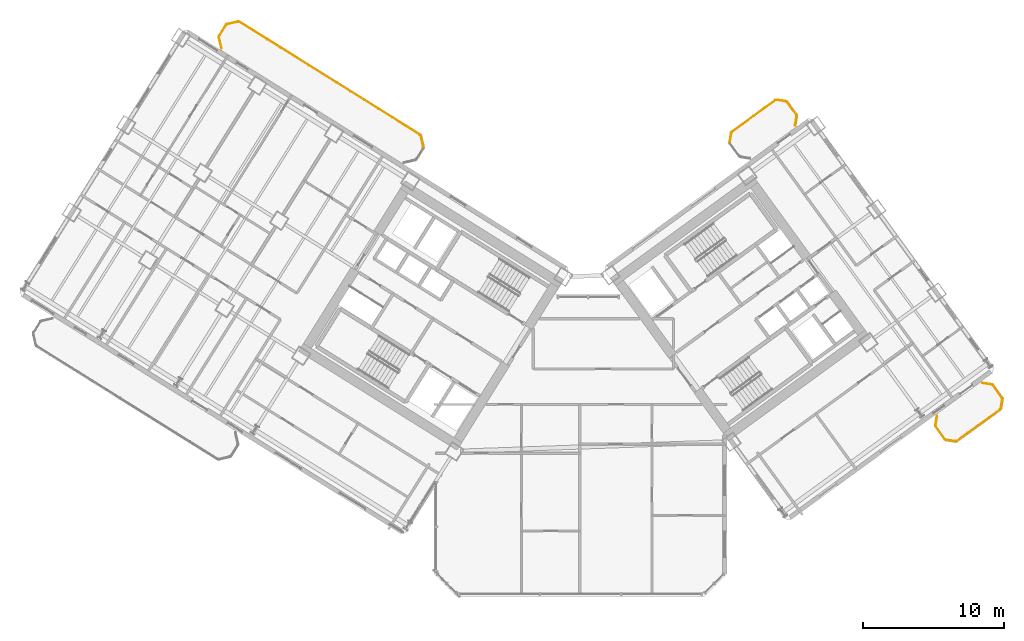
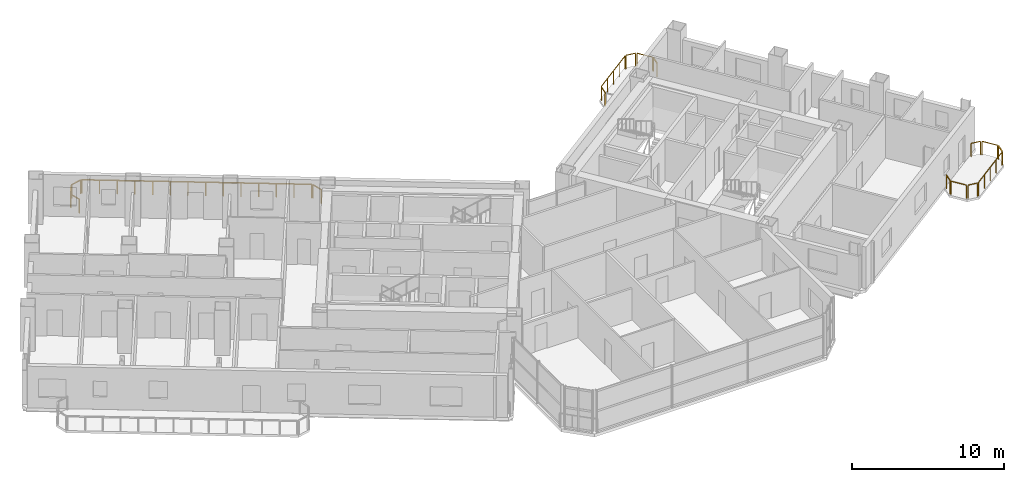
# One storey, part 24 of 24: 17 railings.
"""IFC4 building model written with IfcOpenShell, lengths in metres."""

from ifc_helpers import new_model, si_unit, direction, frame, origin, origin_2d, place, context, subcontext, project, spatial, rectangle, extrude, source, transform, mapped, material, type_object, element, save


model = new_model("IFC4")

# Units and contexts
model_context = context("Model", 3, precision=1e-05, world=origin(), true_north=direction((0.0, 1.0)))
body_context = subcontext(model_context, "Body", "Model", "MODEL_VIEW")
ifc_project = project(units=[si_unit("LENGTHUNIT", "METRE"), si_unit("AREAUNIT", "SQUARE_METRE"), si_unit("VOLUMEUNIT", "CUBIC_METRE"), si_unit("PLANEANGLEUNIT", "RADIAN"), si_unit("MASSUNIT", "GRAM", prefix="KILO")], contexts=[model_context])

# Site, building, storey
site_placement = place(None, origin())
site = spatial("IfcSite", under=ifc_project, at=site_placement, CompositionType="ELEMENT")
building_placement = place(site_placement, origin())
building = spatial("IfcBuilding", under=site, at=building_placement, Name="Tlacorven Tower", CompositionType="ELEMENT")
storey_placement = place(building_placement, frame((0.0, 0.0, 60.0)))
storey = spatial("IfcBuildingStorey", under=building, at=storey_placement, Name="L15", CompositionType="ELEMENT", Elevation=60.0)

# Railings
ifc_material = material(Name="Aluminium and painted steel balustrade", Category="steel")
railing_type = type_object("IfcRailingType", Name="RL-BAL-1100", PredefinedType="BALUSTRADE", material=ifc_material)
shared_shape_1 = source(origin(), body_context, "Body", "SweptSolid", [
    extrude(rectangle(XDim=0.048095703125, YDim=0.048095703125, at=origin_2d()), frame((0.0, 0.0, 1.076171875), z_axis=(0.225058334816, -0.974345290916, 0.0), x_axis=(0.974345290916, 0.225058334816, 0.0)), (0.0, 0.0, 1.0), 0.80712890625),
    extrude(rectangle(XDim=0.0419921875, YDim=0.0419921875, at=origin_2d()), origin(), (0.0, 0.0, 1.0), 1.052001953125),
    extrude(rectangle(XDim=0.0419921875, YDim=0.0419921875, at=origin_2d()), frame((0.181640625, -0.786376953125, 0.0)), (0.0, 0.0, 1.0), 1.052001953125),
])
railing_1_placement = place(storey_placement, frame((30.6796875, 34.466064453125, 0.0)))
element("IfcRailing", 1, at=railing_1_placement, inside=storey, type_object=railing_type, Name="BAL-L15-W-IN Guard Railing 1", PredefinedType="BALUSTRADE", context=body_context, shape_type="MappedRepresentation", body=[
    mapped(shared_shape_1, transform((0.0, 0.0, 0.0), scale=1.0)),
])
shared_shape_2 = source(origin(), body_context, "Body", "SweptSolid", [
    extrude(rectangle(XDim=0.048095703125, YDim=0.048095703125, at=origin_2d()), frame((0.0, 0.0, 1.076171875), z_axis=(-0.225058334816, 0.974345290916, 0.0), x_axis=(-0.974345290916, -0.225058334816, 0.0)), (0.0, 0.0, 1.0), 0.80712890625),
    extrude(rectangle(XDim=0.0419921875, YDim=0.0419921875, at=origin_2d()), origin(), (0.0, 0.0, 1.0), 1.052001953125),
    extrude(rectangle(XDim=0.0419921875, YDim=0.0419921875, at=origin_2d()), frame((-0.181640625, 0.786376953125, 0.0)), (0.0, 0.0, 1.0), 1.052001953125),
])
railing_2_placement = place(storey_placement, frame((16.5361328125, 40.68115234375, 0.0)))
element("IfcRailing", 2, at=railing_2_placement, inside=storey, type_object=railing_type, Name="BAL-L15-W-IN Guard Railing 4", PredefinedType="BALUSTRADE", context=body_context, shape_type="MappedRepresentation", body=[
    mapped(shared_shape_2, transform((0.0, 0.0, 0.0), scale=1.0)),
])
shared_shape_3 = source(origin(), body_context, "Body", "SweptSolid", [
    extrude(rectangle(XDim=0.048095703125, YDim=0.048095703125, at=origin_2d()), frame((0.0, 0.0, 1.076171875), z_axis=(0.52987865805, 0.848073468364, 0.0), x_axis=(-0.848073468364, 0.52987865805, 0.0)), (0.0, 0.0, 1.0), 0.912353515625),
    extrude(rectangle(XDim=0.0419921875, YDim=0.0419921875, at=origin_2d()), origin(), (0.0, 0.0, 1.0), 1.052001953125),
    extrude(rectangle(XDim=0.0419921875, YDim=0.0419921875, at=origin_2d()), frame((0.4833984375, 0.773681640625, 0.0)), (0.0, 0.0, 1.0), 1.052001953125),
])
railing_3_placement = place(storey_placement, frame((16.369873046875, 41.55859375, 0.0)))
element("IfcRailing", 3, at=railing_3_placement, inside=storey, type_object=railing_type, Name="BAL-L15-W-IN Guard Railing 5", PredefinedType="BALUSTRADE", context=body_context, shape_type="MappedRepresentation", body=[
    mapped(shared_shape_3, transform((0.0, 0.0, 0.0), scale=1.0)),
])
shared_shape_4 = source(origin(), body_context, "Body", "SweptSolid", [
    extrude(rectangle(XDim=0.048095703125, YDim=0.048095703125, at=origin_2d()), frame((0.0, 0.0, 1.076171875), z_axis=(0.974411586182, 0.224771129628, 0.0), x_axis=(-0.224771129628, 0.974411586182, 0.0)), (0.0, 0.0, 1.0), 0.80712890625),
    extrude(rectangle(XDim=0.0419921875, YDim=0.0419921875, at=origin_2d()), origin(), (0.0, 0.0, 1.0), 1.052001953125),
    extrude(rectangle(XDim=0.0419921875, YDim=0.0419921875, at=origin_2d()), frame((0.786376953125, 0.181396484375, 0.0)), (0.0, 0.0, 1.0), 1.052001953125),
])
railing_4_placement = place(storey_placement, frame((16.928466796875, 42.385986328125, 0.0)))
element("IfcRailing", 4, at=railing_4_placement, inside=storey, type_object=railing_type, Name="BAL-L15-W-IN Guard Railing 6", PredefinedType="BALUSTRADE", context=body_context, shape_type="MappedRepresentation", body=[
    mapped(shared_shape_4, transform((0.0, 0.0, 0.0), scale=1.0)),
])
shared_shape_5 = source(origin(), body_context, "Body", "SweptSolid", [
    extrude(rectangle(XDim=0.048095703125, YDim=0.048095703125, at=origin_2d()), frame((0.0, 0.0, 1.076171875), z_axis=(0.848044572804, -0.529924902733, 0.0), x_axis=(0.529924902733, 0.848044572804, 0.0)), (0.0, 0.0, 1.0), 15.1171875),
    extrude(rectangle(XDim=0.0419921875, YDim=0.0419921875, at=origin_2d()), origin(), (0.0, 0.0, 1.0), 1.052001953125),
    extrude(rectangle(XDim=0.0419921875, YDim=0.0419921875, at=origin_2d()), frame((0.986083984375, -0.6162109375, 0.0)), (0.0, 0.0, 1.0), 1.052001953125),
    extrude(rectangle(XDim=0.0419921875, YDim=0.0419921875, at=origin_2d()), frame((1.972412109375, -1.232421875, 0.0)), (0.0, 0.0, 1.0), 1.052001953125),
    extrude(rectangle(XDim=0.0419921875, YDim=0.0419921875, at=origin_2d()), frame((2.95849609375, -1.8486328125, 0.0)), (0.0, 0.0, 1.0), 1.052001953125),
    extrude(rectangle(XDim=0.0419921875, YDim=0.0419921875, at=origin_2d()), frame((3.944580078125, -2.46484375, 0.0)), (0.0, 0.0, 1.0), 1.052001953125),
    extrude(rectangle(XDim=0.0419921875, YDim=0.0419921875, at=origin_2d()), frame((4.930908203125, -3.0810546875, 0.0)), (0.0, 0.0, 1.0), 1.052001953125),
    extrude(rectangle(XDim=0.0419921875, YDim=0.0419921875, at=origin_2d()), frame((5.9169921875, -3.697265625, 0.0)), (0.0, 0.0, 1.0), 1.052001953125),
    extrude(rectangle(XDim=0.0419921875, YDim=0.0419921875, at=origin_2d()), frame((6.903076171875, -4.313720703125, 0.0)), (0.0, 0.0, 1.0), 1.052001953125),
    extrude(rectangle(XDim=0.0419921875, YDim=0.0419921875, at=origin_2d()), frame((7.88916015625, -4.929931640625, 0.0)), (0.0, 0.0, 1.0), 1.052001953125),
    extrude(rectangle(XDim=0.0419921875, YDim=0.0419921875, at=origin_2d()), frame((8.87548828125, -5.546142578125, 0.0)), (0.0, 0.0, 1.0), 1.052001953125),
    extrude(rectangle(XDim=0.0419921875, YDim=0.0419921875, at=origin_2d()), frame((9.861572265625, -6.162353515625, 0.0)), (0.0, 0.0, 1.0), 1.052001953125),
    extrude(rectangle(XDim=0.0419921875, YDim=0.0419921875, at=origin_2d()), frame((10.84765625, -6.778564453125, 0.0)), (0.0, 0.0, 1.0), 1.052001953125),
    extrude(rectangle(XDim=0.0419921875, YDim=0.0419921875, at=origin_2d()), frame((11.833984375, -7.394775390625, 0.0)), (0.0, 0.0, 1.0), 1.052001953125),
    extrude(rectangle(XDim=0.0419921875, YDim=0.0419921875, at=origin_2d()), frame((12.820068359375, -8.010986328125, 0.0)), (0.0, 0.0, 1.0), 1.052001953125),
])
railing_5_placement = place(storey_placement, frame((17.805908203125, 42.55224609375, 0.0)))
element("IfcRailing", 5, at=railing_5_placement, inside=storey, type_object=railing_type, Name="BAL-L15-W-IN Guard Railing 7", PredefinedType="BALUSTRADE", context=body_context, shape_type="MappedRepresentation", body=[
    mapped(shared_shape_5, transform((0.0, 0.0, 0.0), scale=1.0)),
])
shared_shape_6 = source(origin(), body_context, "Body", "SweptSolid", [
    extrude(rectangle(XDim=0.048095703125, YDim=0.048095703125, at=origin_2d()), frame((0.0, 0.0, 1.076171875), z_axis=(-0.987661653326, 0.156602868908, 0.0), x_axis=(-0.156602868908, -0.987661653326, 0.0)), (0.0, 0.0, 1.0), 0.665771484375),
    extrude(rectangle(XDim=0.0419921875, YDim=0.0419921875, at=origin_2d()), origin(), (0.0, 0.0, 1.0), 1.052001953125),
    extrude(rectangle(XDim=0.0419921875, YDim=0.0419921875, at=origin_2d()), frame((-0.657470703125, 0.104248046875, 0.0)), (0.0, 0.0, 1.0), 1.052001953125),
])
railing_6_placement = place(storey_placement, frame((68.59521484375, 12.7919921875, 0.0)))
element("IfcRailing", 6, at=railing_6_placement, inside=storey, type_object=railing_type, Name="BAL-L15-E-OUT Guard Railing 1", PredefinedType="BALUSTRADE", context=body_context, shape_type="MappedRepresentation", body=[
    mapped(shared_shape_6, transform((0.0, 0.0, 0.0), scale=1.0)),
])
shared_shape_7 = source(origin(), body_context, "Body", "SweptSolid", [
    extrude(rectangle(XDim=0.048095703125, YDim=0.048095703125, at=origin_2d()), frame((0.0, 0.0, 1.076171875), z_axis=(-0.58788449985, 0.808944877501, 0.0), x_axis=(-0.808944877501, -0.58788449985, 0.0)), (0.0, 0.0, 1.0), 1.112060546875),
    extrude(rectangle(XDim=0.0419921875, YDim=0.0419921875, at=origin_2d()), origin(), (0.0, 0.0, 1.0), 1.052001953125),
    extrude(rectangle(XDim=0.0419921875, YDim=0.0419921875, at=origin_2d()), frame((-0.65380859375, 0.899658203125, 0.0)), (0.0, 0.0, 1.0), 1.052001953125),
])
railing_7_placement = place(storey_placement, frame((67.85888671875, 12.944580078125, 0.0)))
element("IfcRailing", 7, at=railing_7_placement, inside=storey, type_object=railing_type, Name="BAL-L15-E-OUT Guard Railing 2", PredefinedType="BALUSTRADE", context=body_context, shape_type="MappedRepresentation", body=[
    mapped(shared_shape_7, transform((0.0, 0.0, 0.0), scale=1.0)),
])
shared_shape_8 = source(origin(), body_context, "Body", "SweptSolid", [
    extrude(rectangle(XDim=0.048095703125, YDim=0.048095703125, at=origin_2d()), frame((0.0, 0.0, 1.076171875), z_axis=(0.156602868908, 0.987661653326, 0.0), x_axis=(-0.987661653326, 0.156602868908, 0.0)), (0.0, 0.0, 1.0), 0.665771484375),
    extrude(rectangle(XDim=0.0419921875, YDim=0.0419921875, at=origin_2d()), origin(), (0.0, 0.0, 1.0), 1.052001953125),
    extrude(rectangle(XDim=0.0419921875, YDim=0.0419921875, at=origin_2d()), frame((0.104248046875, 0.657470703125, 0.0)), (0.0, 0.0, 1.0), 1.052001953125),
])
railing_8_placement = place(storey_placement, frame((67.18359375, 13.93408203125, 0.0)))
element("IfcRailing", 8, at=railing_8_placement, inside=storey, type_object=railing_type, Name="BAL-L15-E-OUT Guard Railing 3", PredefinedType="BALUSTRADE", context=body_context, shape_type="MappedRepresentation", body=[
    mapped(shared_shape_8, transform((0.0, 0.0, 0.0), scale=1.0)),
])
shared_shape_9 = source(origin(), body_context, "Body", "SweptSolid", [
    extrude(rectangle(XDim=0.048095703125, YDim=0.048095703125, at=origin_2d()), frame((0.0, 0.0, 1.076171875), z_axis=(0.987718317463, -0.156245081039, 0.0), x_axis=(0.156245081039, 0.987718317463, 0.0)), (0.0, 0.0, 1.0), 0.66552734375),
    extrude(rectangle(XDim=0.0419921875, YDim=0.0419921875, at=origin_2d()), origin(), (0.0, 0.0, 1.0), 1.052001953125),
    extrude(rectangle(XDim=0.0419921875, YDim=0.0419921875, at=origin_2d()), frame((0.657470703125, -0.10400390625, 0.0)), (0.0, 0.0, 1.0), 1.052001953125),
])
railing_9_placement = place(storey_placement, frame((70.513916015625, 16.935546875, 0.0)))
element("IfcRailing", 9, at=railing_9_placement, inside=storey, type_object=railing_type, Name="BAL-L15-E-OUT Guard Railing 4", PredefinedType="BALUSTRADE", context=body_context, shape_type="MappedRepresentation", body=[
    mapped(shared_shape_9, transform((0.0, 0.0, 0.0), scale=1.0)),
])
shared_shape_10 = source(origin(), body_context, "Body", "SweptSolid", [
    extrude(rectangle(XDim=0.048095703125, YDim=0.048095703125, at=origin_2d()), frame((0.0, 0.0, 1.076171875), z_axis=(0.58788449985, -0.808944877501, 0.0), x_axis=(0.808944877501, 0.58788449985, 0.0)), (0.0, 0.0, 1.0), 1.112060546875),
    extrude(rectangle(XDim=0.0419921875, YDim=0.0419921875, at=origin_2d()), origin(), (0.0, 0.0, 1.0), 1.052001953125),
    extrude(rectangle(XDim=0.0419921875, YDim=0.0419921875, at=origin_2d()), frame((0.65380859375, -0.899658203125, 0.0)), (0.0, 0.0, 1.0), 1.052001953125),
])
for number, where, name in (
    (10, (71.250244140625, 16.783203125, 0.0), "BAL-L15-E-OUT Guard Railing 5"),
    (11, (56.658447265625, 36.866943359375, 0.0), "BAL-L15-E-IN Guard Railing 6"),
):
    element("IfcRailing", number, at=place(storey_placement, frame(where)), inside=storey, type_object=railing_type, Name=name, PredefinedType="BALUSTRADE", context=body_context, shape_type="MappedRepresentation", body=[
        mapped(shared_shape_10, transform((0.0, 0.0, 0.0), scale=1.0)),
    ])
shared_shape_11 = source(origin(), body_context, "Body", "SweptSolid", [
    extrude(rectangle(XDim=0.048095703125, YDim=0.048095703125, at=origin_2d()), frame((0.0, 0.0, 1.076171875), z_axis=(-0.156188498702, -0.987727266442, 0.0), x_axis=(0.987727266442, -0.156188498702, 0.0)), (0.0, 0.0, 1.0), 0.665771484375),
    extrude(rectangle(XDim=0.0419921875, YDim=0.0419921875, at=origin_2d()), origin(), (0.0, 0.0, 1.0), 1.052001953125),
    extrude(rectangle(XDim=0.0419921875, YDim=0.0419921875, at=origin_2d()), frame((-0.10400390625, -0.65771484375, 0.0)), (0.0, 0.0, 1.0), 1.052001953125),
])
railing_10_placement = place(storey_placement, frame((71.925537109375, 15.793701171875, 0.0)))
element("IfcRailing", 12, at=railing_10_placement, inside=storey, type_object=railing_type, Name="BAL-L15-E-OUT Guard Railing 6", PredefinedType="BALUSTRADE", context=body_context, shape_type="MappedRepresentation", body=[
    mapped(shared_shape_11, transform((0.0, 0.0, 0.0), scale=1.0)),
])
shared_shape_12 = source(origin(), body_context, "Body", "SweptSolid", [
    extrude(rectangle(XDim=0.048095703125, YDim=0.048095703125, at=origin_2d()), frame((0.0, 0.0, 1.076171875), z_axis=(-0.809018102573, -0.587783726986, 0.0), x_axis=(0.587783726986, -0.809018102573, 0.0)), (0.0, 0.0, 1.0), 3.817138671875),
    extrude(rectangle(XDim=0.0419921875, YDim=0.0419921875, at=origin_2d()), origin(), (0.0, 0.0, 1.0), 1.052001953125),
    extrude(rectangle(XDim=0.0419921875, YDim=0.0419921875, at=origin_2d()), frame((-0.77197265625, -0.56103515625, 0.0)), (0.0, 0.0, 1.0), 1.052001953125),
    extrude(rectangle(XDim=0.0419921875, YDim=0.0419921875, at=origin_2d()), frame((-1.5439453125, -1.121826171875, 0.0)), (0.0, 0.0, 1.0), 1.052001953125),
    extrude(rectangle(XDim=0.0419921875, YDim=0.0419921875, at=origin_2d()), frame((-2.316162109375, -1.6826171875, 0.0)), (0.0, 0.0, 1.0), 1.052001953125),
    extrude(rectangle(XDim=0.0419921875, YDim=0.0419921875, at=origin_2d()), frame((-3.088134765625, -2.24365234375, 0.0)), (0.0, 0.0, 1.0), 1.052001953125),
])
railing_11_placement = place(storey_placement, frame((71.773193359375, 15.057373046875, 0.0)))
element("IfcRailing", 13, at=railing_11_placement, inside=storey, type_object=railing_type, Name="BAL-L15-E-OUT Guard Railing 7", PredefinedType="BALUSTRADE", context=body_context, shape_type="MappedRepresentation", body=[
    mapped(shared_shape_12, transform((0.0, 0.0, 0.0), scale=1.0)),
])
shared_shape_13 = source(origin(), body_context, "Body", "SweptSolid", [
    extrude(rectangle(XDim=0.048095703125, YDim=0.048095703125, at=origin_2d()), frame((0.0, 0.0, 1.076171875), z_axis=(0.156546163506, 0.987670642822, 0.0), x_axis=(-0.987670642822, 0.156546163506, 0.0)), (0.0, 0.0, 1.0), 0.666015625),
    extrude(rectangle(XDim=0.0419921875, YDim=0.0419921875, at=origin_2d()), origin(), (0.0, 0.0, 1.0), 1.052001953125),
    extrude(rectangle(XDim=0.0419921875, YDim=0.0419921875, at=origin_2d()), frame((0.104248046875, 0.65771484375, 0.0)), (0.0, 0.0, 1.0), 1.052001953125),
])
railing_12_placement = place(storey_placement, frame((52.591796875, 34.017822265625, 0.0)))
element("IfcRailing", 14, at=railing_12_placement, inside=storey, type_object=railing_type, Name="BAL-L15-E-IN Guard Railing 3", PredefinedType="BALUSTRADE", context=body_context, shape_type="MappedRepresentation", body=[
    mapped(shared_shape_13, transform((0.0, 0.0, 0.0), scale=1.0)),
])
shared_shape_14 = source(origin(), body_context, "Body", "SweptSolid", [
    extrude(rectangle(XDim=0.048095703125, YDim=0.048095703125, at=origin_2d()), frame((0.0, 0.0, 1.076171875), z_axis=(0.809040198054, 0.587753313843, 0.0), x_axis=(-0.587753313843, 0.809040198054, 0.0)), (0.0, 0.0, 1.0), 3.8173828125),
    extrude(rectangle(XDim=0.0419921875, YDim=0.0419921875, at=origin_2d()), origin(), (0.0, 0.0, 1.0), 1.052001953125),
    extrude(rectangle(XDim=0.0419921875, YDim=0.0419921875, at=origin_2d()), frame((0.77197265625, 0.56103515625, 0.0)), (0.0, 0.0, 1.0), 1.052001953125),
    extrude(rectangle(XDim=0.0419921875, YDim=0.0419921875, at=origin_2d()), frame((1.544189453125, 1.121826171875, 0.0)), (0.0, 0.0, 1.0), 1.052001953125),
    extrude(rectangle(XDim=0.0419921875, YDim=0.0419921875, at=origin_2d()), frame((2.31640625, 1.6826171875, 0.0)), (0.0, 0.0, 1.0), 1.052001953125),
    extrude(rectangle(XDim=0.0419921875, YDim=0.0419921875, at=origin_2d()), frame((3.08837890625, 2.24365234375, 0.0)), (0.0, 0.0, 1.0), 1.052001953125),
])
railing_13_placement = place(storey_placement, frame((52.744140625, 34.754150390625, 0.0)))
element("IfcRailing", 15, at=railing_13_placement, inside=storey, type_object=railing_type, Name="BAL-L15-E-IN Guard Railing 4", PredefinedType="BALUSTRADE", context=body_context, shape_type="MappedRepresentation", body=[
    mapped(shared_shape_14, transform((0.0, 0.0, 0.0), scale=1.0)),
])
shared_shape_15 = source(origin(), body_context, "Body", "SweptSolid", [
    extrude(rectangle(XDim=0.048095703125, YDim=0.048095703125, at=origin_2d()), frame((0.0, 0.0, 1.076171875), z_axis=(0.987670642822, -0.156546163506, 0.0), x_axis=(0.156546163506, 0.987670642822, 0.0)), (0.0, 0.0, 1.0), 0.666015625),
    extrude(rectangle(XDim=0.0419921875, YDim=0.0419921875, at=origin_2d()), origin(), (0.0, 0.0, 1.0), 1.052001953125),
    extrude(rectangle(XDim=0.0419921875, YDim=0.0419921875, at=origin_2d()), frame((0.65771484375, -0.104248046875, 0.0)), (0.0, 0.0, 1.0), 1.052001953125),
])
railing_14_placement = place(storey_placement, frame((55.922119140625, 37.01953125, 0.0)))
element("IfcRailing", 16, at=railing_14_placement, inside=storey, type_object=railing_type, Name="BAL-L15-E-IN Guard Railing 5", PredefinedType="BALUSTRADE", context=body_context, shape_type="MappedRepresentation", body=[
    mapped(shared_shape_15, transform((0.0, 0.0, 0.0), scale=1.0)),
])
shared_shape_16 = source(origin(), body_context, "Body", "SweptSolid", [
    extrude(rectangle(XDim=0.048095703125, YDim=0.048095703125, at=origin_2d()), frame((0.0, 0.0, 1.076171875), z_axis=(-0.156245081039, -0.987718317463, 0.0), x_axis=(0.987718317463, -0.156245081039, 0.0)), (0.0, 0.0, 1.0), 0.66552734375),
    extrude(rectangle(XDim=0.0419921875, YDim=0.0419921875, at=origin_2d()), origin(), (0.0, 0.0, 1.0), 1.052001953125),
    extrude(rectangle(XDim=0.0419921875, YDim=0.0419921875, at=origin_2d()), frame((-0.10400390625, -0.657470703125, 0.0)), (0.0, 0.0, 1.0), 1.052001953125),
])
railing_15_placement = place(storey_placement, frame((57.333740234375, 35.87744140625, 0.0)))
element("IfcRailing", 17, at=railing_15_placement, inside=storey, type_object=railing_type, Name="BAL-L15-E-IN Guard Railing 7", PredefinedType="BALUSTRADE", context=body_context, shape_type="MappedRepresentation", body=[
    mapped(shared_shape_16, transform((0.0, 0.0, 0.0), scale=1.0)),
])

save(model, "model.ifc")
